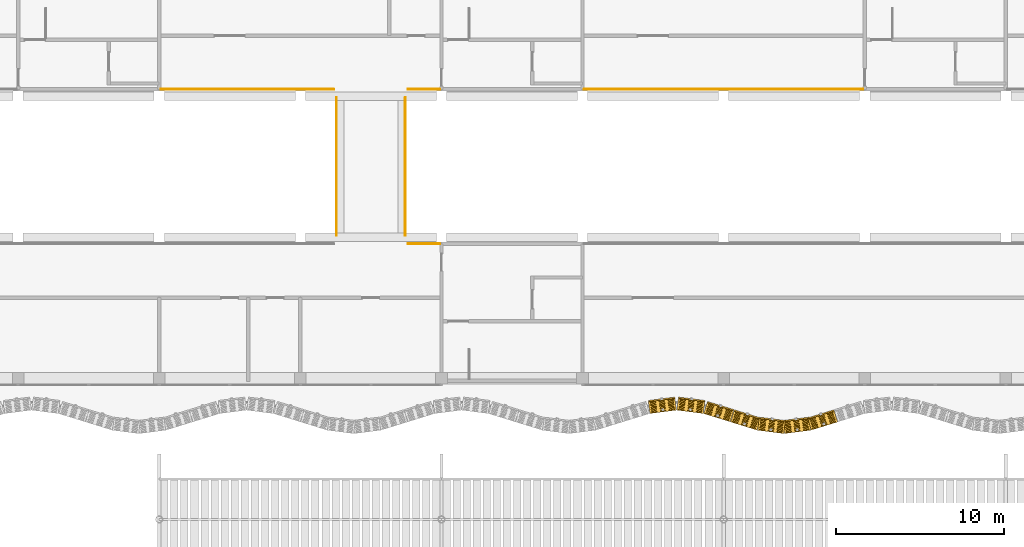
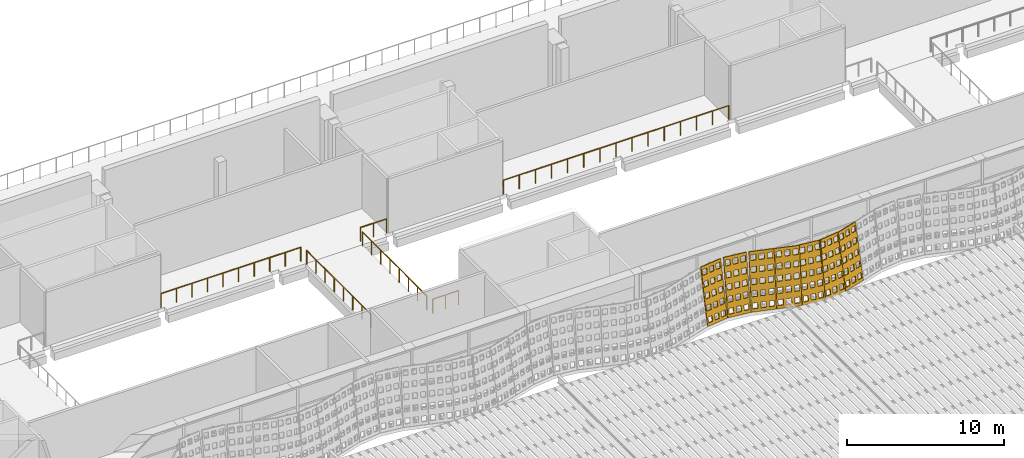
# One storey, part 138 of 162: 7 coverings, 6 railings.
"""IFC4 building model written with IfcOpenShell, lengths in metres."""

from ifc_helpers import new_model, si_unit, direction, frame, origin, origin_2d, place, context, subcontext, project, spatial, polyline, circle, outline, extrude, material, layer, layer_set, type_object, element, save


model = new_model("IFC4")

# Units and contexts
model_context = context("Model", 3, precision=1e-05, world=origin(), true_north=direction((0.0, 1.0)))
body_context = subcontext(model_context, "Body", "Model", "MODEL_VIEW")
ifc_project = project(units=[si_unit("LENGTHUNIT", "METRE"), si_unit("AREAUNIT", "SQUARE_METRE"), si_unit("VOLUMEUNIT", "CUBIC_METRE"), si_unit("PLANEANGLEUNIT", "RADIAN"), si_unit("MASSUNIT", "GRAM", prefix="KILO")], contexts=[model_context])

# Site, building, storey
site_placement = place(None, origin())
site = spatial("IfcSite", under=ifc_project, at=site_placement, CompositionType="ELEMENT")
building_placement = place(site_placement, origin())
building = spatial("IfcBuilding", under=site, at=building_placement, Name="Rain Tree Exposition and Congress Centre", CompositionType="ELEMENT")
storey_placement = place(building_placement, frame((0.0, 0.0, 6.0)))
storey = spatial("IfcBuildingStorey", under=building, at=storey_placement, Name="L01", CompositionType="ELEMENT", Elevation=6.0)

# Railings
ifc_material_1 = material(Name="Aluminium and glass balustrade", Category="aluminium")
railing_type = type_object("IfcRailingType", Name="Concourse guard 1100", PredefinedType="GUARDRAIL", material=ifc_material_1)
railing_1_placement = place(storey_placement, frame((73.60009765625, 83.60009765625, 0.0)))
element("IfcRailing", 1, at=railing_1_placement, inside=storey, type_object=railing_type, Name="Concourse promenade guard 5", PredefinedType="GUARDRAIL", context=body_context, shape_type="SweptSolid", body=[
    extrude(circle(Radius=0.02392578125, at=origin_2d()), frame((0.0, 0.0, 1.076171875), z_axis=(1.0, 0.0, 0.0), x_axis=(0.0, 1.0, 0.0)), (0.0, 0.0, 1.0), 1.89990234375),
    extrude(circle(Radius=0.02099609375, at=origin_2d()), origin(), (0.0, 0.0, 1.0), 1.052001953125),
    extrude(circle(Radius=0.02099609375, at=origin_2d()), frame((0.949951171875, 0.0, 0.0)), (0.0, 0.0, 1.0), 1.052001953125),
    extrude(circle(Radius=0.02099609375, at=origin_2d()), frame((1.89990234375, 0.0, 0.0)), (0.0, 0.0, 1.0), 1.052001953125),
])
railing_2_placement = place(storey_placement, frame((58.89990234375, 92.800048828125, 0.0)))
element("IfcRailing", 2, at=railing_2_placement, inside=storey, type_object=railing_type, Name="Concourse promenade guard 18", PredefinedType="GUARDRAIL", context=body_context, shape_type="SweptSolid", body=[
    extrude(circle(Radius=0.02392578125, at=origin_2d()), frame((0.0, 0.0, 1.076171875), z_axis=(1.0, 0.0, 0.0), x_axis=(0.0, 1.0, 0.0)), (0.0, 0.0, 1.0), 10.300048828125),
    extrude(circle(Radius=0.02099609375, at=origin_2d()), origin(), (0.0, 0.0, 1.0), 1.052001953125),
    extrude(circle(Radius=0.02099609375, at=origin_2d()), frame((1.14453125, 0.0, 0.0)), (0.0, 0.0, 1.0), 1.052001953125),
    extrude(circle(Radius=0.02099609375, at=origin_2d()), frame((2.288818359375, 0.0, 0.0)), (0.0, 0.0, 1.0), 1.052001953125),
    extrude(circle(Radius=0.02099609375, at=origin_2d()), frame((3.433349609375, 0.0, 0.0)), (0.0, 0.0, 1.0), 1.052001953125),
    extrude(circle(Radius=0.02099609375, at=origin_2d()), frame((4.577880859375, 0.0, 0.0)), (0.0, 0.0, 1.0), 1.052001953125),
    extrude(circle(Radius=0.02099609375, at=origin_2d()), frame((5.72216796875, 0.0, 0.0)), (0.0, 0.0, 1.0), 1.052001953125),
    extrude(circle(Radius=0.02099609375, at=origin_2d()), frame((6.86669921875, 0.0, 0.0)), (0.0, 0.0, 1.0), 1.052001953125),
    extrude(circle(Radius=0.02099609375, at=origin_2d()), frame((8.01123046875, 0.0, 0.0)), (0.0, 0.0, 1.0), 1.052001953125),
    extrude(circle(Radius=0.02099609375, at=origin_2d()), frame((9.155517578125, 0.0, 0.0)), (0.0, 0.0, 1.0), 1.052001953125),
    extrude(circle(Radius=0.02099609375, at=origin_2d()), frame((10.300048828125, 0.0, 0.0)), (0.0, 0.0, 1.0), 1.052001953125),
])
railing_3_placement = place(storey_placement, frame((73.60009765625, 92.800048828125, 0.0)))
element("IfcRailing", 3, at=railing_3_placement, inside=storey, type_object=railing_type, Name="Concourse promenade guard 19", PredefinedType="GUARDRAIL", context=body_context, shape_type="SweptSolid", body=[
    extrude(circle(Radius=0.02392578125, at=origin_2d()), frame((0.0, 0.0, 1.076171875), z_axis=(1.0, 0.0, 0.0), x_axis=(0.0, 1.0, 0.0)), (0.0, 0.0, 1.0), 1.89990234375),
    extrude(circle(Radius=0.02099609375, at=origin_2d()), origin(), (0.0, 0.0, 1.0), 1.052001953125),
    extrude(circle(Radius=0.02099609375, at=origin_2d()), frame((0.949951171875, 0.0, 0.0)), (0.0, 0.0, 1.0), 1.052001953125),
    extrude(circle(Radius=0.02099609375, at=origin_2d()), frame((1.89990234375, 0.0, 0.0)), (0.0, 0.0, 1.0), 1.052001953125),
])
railing_4_placement = place(storey_placement, frame((84.10009765625, 92.800048828125, 0.0)))
element("IfcRailing", 4, at=railing_4_placement, inside=storey, type_object=railing_type, Name="Concourse promenade guard 20", PredefinedType="GUARDRAIL", context=body_context, shape_type="SweptSolid", body=[
    extrude(circle(Radius=0.02392578125, at=origin_2d()), frame((0.0, 0.0, 1.076171875), z_axis=(1.0, 0.0, 0.0), x_axis=(0.0, 1.0, 0.0)), (0.0, 0.0, 1.0), 16.599853515625),
    extrude(circle(Radius=0.02099609375, at=origin_2d()), origin(), (0.0, 0.0, 1.0), 1.052001953125),
    extrude(circle(Radius=0.02099609375, at=origin_2d()), frame((1.185791015625, 0.0, 0.0)), (0.0, 0.0, 1.0), 1.052001953125),
    extrude(circle(Radius=0.02099609375, at=origin_2d()), frame((2.371337890625, 0.0, 0.0)), (0.0, 0.0, 1.0), 1.052001953125),
    extrude(circle(Radius=0.02099609375, at=origin_2d()), frame((3.55712890625, 0.0, 0.0)), (0.0, 0.0, 1.0), 1.052001953125),
    extrude(circle(Radius=0.02099609375, at=origin_2d()), frame((4.742919921875, 0.0, 0.0)), (0.0, 0.0, 1.0), 1.052001953125),
    extrude(circle(Radius=0.02099609375, at=origin_2d()), frame((5.928466796875, 0.0, 0.0)), (0.0, 0.0, 1.0), 1.052001953125),
    extrude(circle(Radius=0.02099609375, at=origin_2d()), frame((7.1142578125, 0.0, 0.0)), (0.0, 0.0, 1.0), 1.052001953125),
    extrude(circle(Radius=0.02099609375, at=origin_2d()), frame((8.2998046875, 0.0, 0.0)), (0.0, 0.0, 1.0), 1.052001953125),
    extrude(circle(Radius=0.02099609375, at=origin_2d()), frame((9.485595703125, 0.0, 0.0)), (0.0, 0.0, 1.0), 1.052001953125),
    extrude(circle(Radius=0.02099609375, at=origin_2d()), frame((10.67138671875, 0.0, 0.0)), (0.0, 0.0, 1.0), 1.052001953125),
    extrude(circle(Radius=0.02099609375, at=origin_2d()), frame((11.85693359375, 0.0, 0.0)), (0.0, 0.0, 1.0), 1.052001953125),
    extrude(circle(Radius=0.02099609375, at=origin_2d()), frame((13.042724609375, 0.0, 0.0)), (0.0, 0.0, 1.0), 1.052001953125),
    extrude(circle(Radius=0.02099609375, at=origin_2d()), frame((14.228515625, 0.0, 0.0)), (0.0, 0.0, 1.0), 1.052001953125),
    extrude(circle(Radius=0.02099609375, at=origin_2d()), frame((15.4140625, 0.0, 0.0)), (0.0, 0.0, 1.0), 1.052001953125),
    extrude(circle(Radius=0.02099609375, at=origin_2d()), frame((16.599853515625, 0.0, 0.0)), (0.0, 0.0, 1.0), 1.052001953125),
])
for number, where, name in (
    (5, (69.35009765625, 84.10009765625, 0.0), "Concourse bridge guard 3.1"),
    (6, (73.449951171875, 84.10009765625, 0.0), "Concourse bridge guard 3.2"),
):
    element("IfcRailing", number, at=place(storey_placement, frame(where)), inside=storey, type_object=railing_type, Name=name, PredefinedType="GUARDRAIL", context=body_context, shape_type="SweptSolid", body=[
        extrude(circle(Radius=0.02392578125, at=origin_2d()), frame((0.0, 0.0, 1.076171875), z_axis=(0.0, 1.0, 0.0), x_axis=(-1.0, 0.0, 0.0)), (0.0, 0.0, 1.0), 8.199951171875),
        extrude(circle(Radius=0.02099609375, at=origin_2d()), origin(), (0.0, 0.0, 1.0), 1.052001953125),
        extrude(circle(Radius=0.02099609375, at=origin_2d()), frame((0.0, 1.17138671875, 0.0)), (0.0, 0.0, 1.0), 1.052001953125),
        extrude(circle(Radius=0.02099609375, at=origin_2d()), frame((0.0, 2.3427734375, 0.0)), (0.0, 0.0, 1.0), 1.052001953125),
        extrude(circle(Radius=0.02099609375, at=origin_2d()), frame((0.0, 3.51416015625, 0.0)), (0.0, 0.0, 1.0), 1.052001953125),
        extrude(circle(Radius=0.02099609375, at=origin_2d()), frame((0.0, 4.685791015625, 0.0)), (0.0, 0.0, 1.0), 1.052001953125),
        extrude(circle(Radius=0.02099609375, at=origin_2d()), frame((0.0, 5.857177734375, 0.0)), (0.0, 0.0, 1.0), 1.052001953125),
        extrude(circle(Radius=0.02099609375, at=origin_2d()), frame((0.0, 7.028564453125, 0.0)), (0.0, 0.0, 1.0), 1.052001953125),
        extrude(circle(Radius=0.02099609375, at=origin_2d()), frame((0.0, 8.199951171875, 0.0)), (0.0, 0.0, 1.0), 1.052001953125),
    ])

# Coverings
ifc_material_2 = material(Name="Perforated terracotta", Category="masonry")
ifc_layer = layer(ifc_material_2, 0.080078125)
ifc_layer_set = layer_set([ifc_layer], Name="Perforated terracotta")
covering_type = type_object("IfcCoveringType", Name="Terracotta screen 80", PredefinedType="CLADDING", material=ifc_layer_set)
covering_1_placement = place(storey_placement, frame((87.999755859375, 73.496826171875, 0.01318359375), z_axis=(-0.124968640969, 0.978413018317, -0.164592844203), x_axis=(-0.991941518713, -0.126696580272, 0.0)))
element("IfcCovering", 7, at=covering_1_placement, inside=storey, type_object=covering_type, Name="concourse/screen/L01/056", PredefinedType="CLADDING", context=body_context, shape_type="SweptSolid", body=[
    extrude(outline(polyline([(-1.59814453125, 0.0), (-1.59814453125, 4.295166015625), (-0.014892578125, 4.295166015625), (-0.014892578125, 0.0), (-1.59814453125, 0.0)]), holes=[polyline([(-0.115234375, 0.2216796875), (-0.115234375, 0.63720703125), (-0.4423828125, 0.63720703125), (-0.4423828125, 0.2216796875), (-0.115234375, 0.2216796875)]), polyline([(-0.115234375, 1.080810546875), (-0.115234375, 1.496337890625), (-0.4423828125, 1.496337890625), (-0.4423828125, 1.080810546875), (-0.115234375, 1.080810546875)]), polyline([(-0.115234375, 1.939697265625), (-0.115234375, 2.35546875), (-0.4423828125, 2.35546875), (-0.4423828125, 1.939697265625), (-0.115234375, 1.939697265625)]), polyline([(-0.115234375, 2.798583984375), (-0.115234375, 3.21435546875), (-0.4423828125, 3.21435546875), (-0.4423828125, 2.798583984375), (-0.115234375, 2.798583984375)]), polyline([(-0.115234375, 3.65771484375), (-0.115234375, 4.073486328125), (-0.4423828125, 4.073486328125), (-0.4423828125, 3.65771484375), (-0.115234375, 3.65771484375)]), polyline([(-0.64306640625, 0.2216796875), (-0.64306640625, 0.63720703125), (-0.97021484375, 0.63720703125), (-0.97021484375, 0.2216796875), (-0.64306640625, 0.2216796875)]), polyline([(-0.64306640625, 1.080810546875), (-0.64306640625, 1.496337890625), (-0.97021484375, 1.496337890625), (-0.97021484375, 1.080810546875), (-0.64306640625, 1.080810546875)]), polyline([(-0.64306640625, 1.939697265625), (-0.64306640625, 2.35546875), (-0.97021484375, 2.35546875), (-0.97021484375, 1.939697265625), (-0.64306640625, 1.939697265625)]), polyline([(-0.64306640625, 2.798583984375), (-0.64306640625, 3.21435546875), (-0.97021484375, 3.21435546875), (-0.97021484375, 2.798583984375), (-0.64306640625, 2.798583984375)]), polyline([(-0.64306640625, 3.65771484375), (-0.64306640625, 4.073486328125), (-0.97021484375, 4.073486328125), (-0.97021484375, 3.65771484375), (-0.64306640625, 3.65771484375)]), polyline([(-1.170654296875, 0.2216796875), (-1.170654296875, 0.63720703125), (-1.497802734375, 0.63720703125), (-1.497802734375, 0.2216796875), (-1.170654296875, 0.2216796875)]), polyline([(-1.170654296875, 1.080810546875), (-1.170654296875, 1.496337890625), (-1.497802734375, 1.496337890625), (-1.497802734375, 1.080810546875), (-1.170654296875, 1.080810546875)]), polyline([(-1.170654296875, 1.939697265625), (-1.170654296875, 2.35546875), (-1.497802734375, 2.35546875), (-1.497802734375, 1.939697265625), (-1.170654296875, 1.939697265625)]), polyline([(-1.170654296875, 2.798583984375), (-1.170654296875, 3.21435546875), (-1.497802734375, 3.21435546875), (-1.497802734375, 2.798583984375), (-1.170654296875, 2.798583984375)]), polyline([(-1.170654296875, 3.65771484375), (-1.170654296875, 4.073486328125), (-1.497802734375, 4.073486328125), (-1.497802734375, 3.65771484375), (-1.170654296875, 3.65771484375)])]), origin(), (0.0, 0.0, 1.0), 0.080078125),
])
covering_2_placement = place(storey_placement, frame((89.600341796875, 73.701904296875, 0.01318359375), z_axis=(0.125342414455, 0.978282259159, -0.165085131233), x_axis=(-0.991891686382, 0.127086122318, 0.0)))
element("IfcCovering", 8, at=covering_2_placement, inside=storey, type_object=covering_type, Name="concourse/screen/L01/057", PredefinedType="CLADDING", context=body_context, shape_type="SweptSolid", body=[
    extrude(outline(polyline([(-1.59814453125, 0.0), (-1.59814453125, 4.295166015625), (-0.014892578125, 4.295166015625), (-0.014892578125, 0.0), (-1.59814453125, 0.0)]), holes=[polyline([(-0.115234375, 0.2216796875), (-0.115234375, 0.63720703125), (-0.4423828125, 0.63720703125), (-0.4423828125, 0.2216796875), (-0.115234375, 0.2216796875)]), polyline([(-0.115234375, 1.080810546875), (-0.115234375, 1.496337890625), (-0.4423828125, 1.496337890625), (-0.4423828125, 1.080810546875), (-0.115234375, 1.080810546875)]), polyline([(-0.115234375, 1.939697265625), (-0.115234375, 2.35546875), (-0.4423828125, 2.35546875), (-0.4423828125, 1.939697265625), (-0.115234375, 1.939697265625)]), polyline([(-0.115234375, 2.798583984375), (-0.115234375, 3.21435546875), (-0.4423828125, 3.21435546875), (-0.4423828125, 2.798583984375), (-0.115234375, 2.798583984375)]), polyline([(-0.115234375, 3.65771484375), (-0.115234375, 4.073486328125), (-0.4423828125, 4.073486328125), (-0.4423828125, 3.65771484375), (-0.115234375, 3.65771484375)]), polyline([(-0.64306640625, 0.2216796875), (-0.64306640625, 0.63720703125), (-0.97021484375, 0.63720703125), (-0.97021484375, 0.2216796875), (-0.64306640625, 0.2216796875)]), polyline([(-0.64306640625, 1.080810546875), (-0.64306640625, 1.496337890625), (-0.97021484375, 1.496337890625), (-0.97021484375, 1.080810546875), (-0.64306640625, 1.080810546875)]), polyline([(-0.64306640625, 1.939697265625), (-0.64306640625, 2.35546875), (-0.97021484375, 2.35546875), (-0.97021484375, 1.939697265625), (-0.64306640625, 1.939697265625)]), polyline([(-0.64306640625, 2.798583984375), (-0.64306640625, 3.21435546875), (-0.97021484375, 3.21435546875), (-0.97021484375, 2.798583984375), (-0.64306640625, 2.798583984375)]), polyline([(-0.64306640625, 3.65771484375), (-0.64306640625, 4.073486328125), (-0.97021484375, 4.073486328125), (-0.97021484375, 3.65771484375), (-0.64306640625, 3.65771484375)]), polyline([(-1.170654296875, 0.2216796875), (-1.170654296875, 0.63720703125), (-1.497802734375, 0.63720703125), (-1.497802734375, 0.2216796875), (-1.170654296875, 0.2216796875)]), polyline([(-1.170654296875, 1.080810546875), (-1.170654296875, 1.496337890625), (-1.497802734375, 1.496337890625), (-1.497802734375, 1.080810546875), (-1.170654296875, 1.080810546875)]), polyline([(-1.170654296875, 1.939697265625), (-1.170654296875, 2.35546875), (-1.497802734375, 2.35546875), (-1.497802734375, 1.939697265625), (-1.170654296875, 1.939697265625)]), polyline([(-1.170654296875, 2.798583984375), (-1.170654296875, 3.21435546875), (-1.497802734375, 3.21435546875), (-1.497802734375, 2.798583984375), (-1.170654296875, 2.798583984375)]), polyline([(-1.170654296875, 3.65771484375), (-1.170654296875, 4.073486328125), (-1.497802734375, 4.073486328125), (-1.497802734375, 3.65771484375), (-1.170654296875, 3.65771484375)])]), origin(), (0.0, 0.0, 1.0), 0.079833984375),
])
covering_3_placement = place(storey_placement, frame((91.20068359375, 73.49658203125, 0.0126953125), z_axis=(0.290138898064, 0.943714942124, -0.158812870519), x_axis=(-0.955845867297, 0.293868470528, 0.0)))
element("IfcCovering", 9, at=covering_3_placement, inside=storey, type_object=covering_type, Name="concourse/screen/L01/058", PredefinedType="CLADDING", context=body_context, shape_type="SweptSolid", body=[
    extrude(outline(polyline([(-1.659912109375, 0.0), (-1.659912109375, 4.29150390625), (-0.014892578125, 4.29150390625), (-0.014892578125, 0.0), (-1.659912109375, 0.0)]), holes=[polyline([(-0.119140625, 0.221435546875), (-0.119140625, 0.63671875), (-0.458984375, 0.63671875), (-0.458984375, 0.221435546875), (-0.119140625, 0.221435546875)]), polyline([(-0.119140625, 1.079833984375), (-0.119140625, 1.4951171875), (-0.458984375, 1.4951171875), (-0.458984375, 1.079833984375), (-0.119140625, 1.079833984375)]), polyline([(-0.119140625, 1.93798828125), (-0.119140625, 2.353271484375), (-0.458984375, 2.353271484375), (-0.458984375, 1.93798828125), (-0.119140625, 1.93798828125)]), polyline([(-0.119140625, 2.79638671875), (-0.119140625, 3.211669921875), (-0.458984375, 3.211669921875), (-0.458984375, 2.79638671875), (-0.119140625, 2.79638671875)]), polyline([(-0.119140625, 3.654541015625), (-0.119140625, 4.06982421875), (-0.458984375, 4.06982421875), (-0.458984375, 3.654541015625), (-0.119140625, 3.654541015625)]), polyline([(-0.66748046875, 0.221435546875), (-0.66748046875, 0.63671875), (-1.00732421875, 0.63671875), (-1.00732421875, 0.221435546875), (-0.66748046875, 0.221435546875)]), polyline([(-0.66748046875, 1.079833984375), (-0.66748046875, 1.4951171875), (-1.00732421875, 1.4951171875), (-1.00732421875, 1.079833984375), (-0.66748046875, 1.079833984375)]), polyline([(-0.66748046875, 1.93798828125), (-0.66748046875, 2.353271484375), (-1.00732421875, 2.353271484375), (-1.00732421875, 1.93798828125), (-0.66748046875, 1.93798828125)]), polyline([(-0.66748046875, 2.79638671875), (-0.66748046875, 3.211669921875), (-1.00732421875, 3.211669921875), (-1.00732421875, 2.79638671875), (-0.66748046875, 2.79638671875)]), polyline([(-0.66748046875, 3.654541015625), (-0.66748046875, 4.06982421875), (-1.00732421875, 4.06982421875), (-1.00732421875, 3.654541015625), (-0.66748046875, 3.654541015625)]), polyline([(-1.2158203125, 0.221435546875), (-1.2158203125, 0.63671875), (-1.5556640625, 0.63671875), (-1.5556640625, 0.221435546875), (-1.2158203125, 0.221435546875)]), polyline([(-1.2158203125, 1.079833984375), (-1.2158203125, 1.4951171875), (-1.5556640625, 1.4951171875), (-1.5556640625, 1.079833984375), (-1.2158203125, 1.079833984375)]), polyline([(-1.2158203125, 1.93798828125), (-1.2158203125, 2.353271484375), (-1.5556640625, 2.353271484375), (-1.5556640625, 1.93798828125), (-1.2158203125, 1.93798828125)]), polyline([(-1.2158203125, 2.79638671875), (-1.2158203125, 3.211669921875), (-1.5556640625, 3.211669921875), (-1.5556640625, 2.79638671875), (-1.2158203125, 2.79638671875)]), polyline([(-1.2158203125, 3.654541015625), (-1.2158203125, 4.06982421875), (-1.5556640625, 4.06982421875), (-1.5556640625, 3.654541015625), (-1.2158203125, 3.654541015625)])]), origin(), (0.0, 0.0, 1.0), 0.079833984375),
])
covering_4_placement = place(storey_placement, frame((92.800537109375, 73.001708984375, 0.0126953125), z_axis=(0.292932171154, 0.942875425902, -0.158671592708), x_axis=(-0.954973588716, 0.296690823679, 0.0)))
element("IfcCovering", 10, at=covering_4_placement, inside=storey, type_object=covering_type, Name="concourse/screen/L01/059", PredefinedType="CLADDING", context=body_context, shape_type="SweptSolid", body=[
    extrude(outline(polyline([(-1.65283203125, 0.0), (-1.65283203125, 4.29150390625), (-0.014892578125, 4.29150390625), (-0.014892578125, 0.0), (-1.65283203125, 0.0)]), holes=[polyline([(-0.11865234375, 0.221435546875), (-0.11865234375, 0.63671875), (-0.457275390625, 0.63671875), (-0.457275390625, 0.221435546875), (-0.11865234375, 0.221435546875)]), polyline([(-0.11865234375, 1.079833984375), (-0.11865234375, 1.4951171875), (-0.457275390625, 1.4951171875), (-0.457275390625, 1.079833984375), (-0.11865234375, 1.079833984375)]), polyline([(-0.11865234375, 1.93798828125), (-0.11865234375, 2.353271484375), (-0.457275390625, 2.353271484375), (-0.457275390625, 1.93798828125), (-0.11865234375, 1.93798828125)]), polyline([(-0.11865234375, 2.79638671875), (-0.11865234375, 3.211669921875), (-0.457275390625, 3.211669921875), (-0.457275390625, 2.79638671875), (-0.11865234375, 2.79638671875)]), polyline([(-0.11865234375, 3.654541015625), (-0.11865234375, 4.06982421875), (-0.457275390625, 4.06982421875), (-0.457275390625, 3.654541015625), (-0.11865234375, 3.654541015625)]), polyline([(-0.664794921875, 0.221435546875), (-0.664794921875, 0.63671875), (-1.003173828125, 0.63671875), (-1.003173828125, 0.221435546875), (-0.664794921875, 0.221435546875)]), polyline([(-0.664794921875, 1.079833984375), (-0.664794921875, 1.4951171875), (-1.003173828125, 1.4951171875), (-1.003173828125, 1.079833984375), (-0.664794921875, 1.079833984375)]), polyline([(-0.664794921875, 1.93798828125), (-0.664794921875, 2.353271484375), (-1.003173828125, 2.353271484375), (-1.003173828125, 1.93798828125), (-0.664794921875, 1.93798828125)]), polyline([(-0.664794921875, 2.79638671875), (-0.664794921875, 3.211669921875), (-1.003173828125, 3.211669921875), (-1.003173828125, 2.79638671875), (-0.664794921875, 2.79638671875)]), polyline([(-0.664794921875, 3.654541015625), (-0.664794921875, 4.06982421875), (-1.003173828125, 4.06982421875), (-1.003173828125, 3.654541015625), (-0.664794921875, 3.654541015625)]), polyline([(-1.210693359375, 0.221435546875), (-1.210693359375, 0.63671875), (-1.54931640625, 0.63671875), (-1.54931640625, 0.221435546875), (-1.210693359375, 0.221435546875)]), polyline([(-1.210693359375, 1.079833984375), (-1.210693359375, 1.4951171875), (-1.54931640625, 1.4951171875), (-1.54931640625, 1.079833984375), (-1.210693359375, 1.079833984375)]), polyline([(-1.210693359375, 1.93798828125), (-1.210693359375, 2.353271484375), (-1.54931640625, 2.353271484375), (-1.54931640625, 1.93798828125), (-1.210693359375, 1.93798828125)]), polyline([(-1.210693359375, 2.79638671875), (-1.210693359375, 3.211669921875), (-1.54931640625, 3.211669921875), (-1.54931640625, 2.79638671875), (-1.210693359375, 2.79638671875)]), polyline([(-1.210693359375, 3.654541015625), (-1.210693359375, 4.06982421875), (-1.54931640625, 4.06982421875), (-1.54931640625, 3.654541015625), (-1.210693359375, 3.654541015625)])]), origin(), (0.0, 0.0, 1.0), 0.080078125),
])
covering_5_placement = place(storey_placement, frame((94.400390625, 72.5068359375, 0.01318359375), z_axis=(0.124968640969, 0.978413018317, -0.164592844203), x_axis=(-0.991941518713, 0.126696580272, 0.0)))
element("IfcCovering", 11, at=covering_5_placement, inside=storey, type_object=covering_type, Name="concourse/screen/L01/060", PredefinedType="CLADDING", context=body_context, shape_type="SweptSolid", body=[
    extrude(outline(polyline([(-1.587890625, 0.0), (-1.587890625, 4.295166015625), (-0.02197265625, 4.295166015625), (-0.02197265625, 0.0), (-1.587890625, 0.0)]), holes=[polyline([(-0.12109375, 0.2216796875), (-0.12109375, 0.63720703125), (-0.444580078125, 0.63720703125), (-0.444580078125, 0.2216796875), (-0.12109375, 0.2216796875)]), polyline([(-0.12109375, 1.080810546875), (-0.12109375, 1.496337890625), (-0.444580078125, 1.496337890625), (-0.444580078125, 1.080810546875), (-0.12109375, 1.080810546875)]), polyline([(-0.12109375, 1.939697265625), (-0.12109375, 2.35546875), (-0.444580078125, 2.35546875), (-0.444580078125, 1.939697265625), (-0.12109375, 1.939697265625)]), polyline([(-0.12109375, 2.798583984375), (-0.12109375, 3.21435546875), (-0.444580078125, 3.21435546875), (-0.444580078125, 2.798583984375), (-0.12109375, 2.798583984375)]), polyline([(-0.12109375, 3.65771484375), (-0.12109375, 4.073486328125), (-0.444580078125, 4.073486328125), (-0.444580078125, 3.65771484375), (-0.12109375, 3.65771484375)]), polyline([(-0.64306640625, 0.2216796875), (-0.64306640625, 0.63720703125), (-0.966796875, 0.63720703125), (-0.966796875, 0.2216796875), (-0.64306640625, 0.2216796875)]), polyline([(-0.64306640625, 1.080810546875), (-0.64306640625, 1.496337890625), (-0.966796875, 1.496337890625), (-0.966796875, 1.080810546875), (-0.64306640625, 1.080810546875)]), polyline([(-0.64306640625, 1.939697265625), (-0.64306640625, 2.35546875), (-0.966796875, 2.35546875), (-0.966796875, 1.939697265625), (-0.64306640625, 1.939697265625)]), polyline([(-0.64306640625, 2.798583984375), (-0.64306640625, 3.21435546875), (-0.966796875, 3.21435546875), (-0.966796875, 2.798583984375), (-0.64306640625, 2.798583984375)]), polyline([(-0.64306640625, 3.65771484375), (-0.64306640625, 4.073486328125), (-0.966796875, 4.073486328125), (-0.966796875, 3.65771484375), (-0.64306640625, 3.65771484375)]), polyline([(-1.1650390625, 0.2216796875), (-1.1650390625, 0.63720703125), (-1.48876953125, 0.63720703125), (-1.48876953125, 0.2216796875), (-1.1650390625, 0.2216796875)]), polyline([(-1.1650390625, 1.080810546875), (-1.1650390625, 1.496337890625), (-1.48876953125, 1.496337890625), (-1.48876953125, 1.080810546875), (-1.1650390625, 1.080810546875)]), polyline([(-1.1650390625, 1.939697265625), (-1.1650390625, 2.35546875), (-1.48876953125, 2.35546875), (-1.48876953125, 1.939697265625), (-1.1650390625, 1.939697265625)]), polyline([(-1.1650390625, 2.798583984375), (-1.1650390625, 3.21435546875), (-1.48876953125, 3.21435546875), (-1.48876953125, 2.798583984375), (-1.1650390625, 2.798583984375)]), polyline([(-1.1650390625, 3.65771484375), (-1.1650390625, 4.073486328125), (-1.48876953125, 4.073486328125), (-1.48876953125, 3.65771484375), (-1.1650390625, 3.65771484375)])]), origin(), (0.0, 0.0, 1.0), 0.080078125),
])
covering_6_placement = place(storey_placement, frame((95.999755859375, 72.302001953125, 0.01318359375), z_axis=(-0.125342414455, 0.978282259159, -0.165085131233), x_axis=(-0.991891686382, -0.127086122318, 0.0)))
element("IfcCovering", 12, at=covering_6_placement, inside=storey, type_object=covering_type, Name="concourse/screen/L01/061", PredefinedType="CLADDING", context=body_context, shape_type="SweptSolid", body=[
    extrude(outline(polyline([(-1.59130859375, 0.0), (-1.59130859375, 4.295166015625), (-0.025146484375, 4.295166015625), (-0.025146484375, 0.0), (-1.59130859375, 0.0)]), holes=[polyline([(-0.12451171875, 0.2216796875), (-0.12451171875, 0.63720703125), (-0.447998046875, 0.63720703125), (-0.447998046875, 0.2216796875), (-0.12451171875, 0.2216796875)]), polyline([(-0.12451171875, 1.080810546875), (-0.12451171875, 1.496337890625), (-0.447998046875, 1.496337890625), (-0.447998046875, 1.080810546875), (-0.12451171875, 1.080810546875)]), polyline([(-0.12451171875, 1.939697265625), (-0.12451171875, 2.35546875), (-0.447998046875, 2.35546875), (-0.447998046875, 1.939697265625), (-0.12451171875, 1.939697265625)]), polyline([(-0.12451171875, 2.798583984375), (-0.12451171875, 3.21435546875), (-0.447998046875, 3.21435546875), (-0.447998046875, 2.798583984375), (-0.12451171875, 2.798583984375)]), polyline([(-0.12451171875, 3.65771484375), (-0.12451171875, 4.073486328125), (-0.447998046875, 4.073486328125), (-0.447998046875, 3.65771484375), (-0.12451171875, 3.65771484375)]), polyline([(-0.646484375, 0.2216796875), (-0.646484375, 0.63720703125), (-0.969970703125, 0.63720703125), (-0.969970703125, 0.2216796875), (-0.646484375, 0.2216796875)]), polyline([(-0.646484375, 1.080810546875), (-0.646484375, 1.496337890625), (-0.969970703125, 1.496337890625), (-0.969970703125, 1.080810546875), (-0.646484375, 1.080810546875)]), polyline([(-0.646484375, 1.939697265625), (-0.646484375, 2.35546875), (-0.969970703125, 2.35546875), (-0.969970703125, 1.939697265625), (-0.646484375, 1.939697265625)]), polyline([(-0.646484375, 2.798583984375), (-0.646484375, 3.21435546875), (-0.969970703125, 3.21435546875), (-0.969970703125, 2.798583984375), (-0.646484375, 2.798583984375)]), polyline([(-0.646484375, 3.65771484375), (-0.646484375, 4.073486328125), (-0.969970703125, 4.073486328125), (-0.969970703125, 3.65771484375), (-0.646484375, 3.65771484375)]), polyline([(-1.16845703125, 0.2216796875), (-1.16845703125, 0.63720703125), (-1.491943359375, 0.63720703125), (-1.491943359375, 0.2216796875), (-1.16845703125, 0.2216796875)]), polyline([(-1.16845703125, 1.080810546875), (-1.16845703125, 1.496337890625), (-1.491943359375, 1.496337890625), (-1.491943359375, 1.080810546875), (-1.16845703125, 1.080810546875)]), polyline([(-1.16845703125, 1.939697265625), (-1.16845703125, 2.35546875), (-1.491943359375, 2.35546875), (-1.491943359375, 1.939697265625), (-1.16845703125, 1.939697265625)]), polyline([(-1.16845703125, 2.798583984375), (-1.16845703125, 3.21435546875), (-1.491943359375, 3.21435546875), (-1.491943359375, 2.798583984375), (-1.16845703125, 2.798583984375)]), polyline([(-1.16845703125, 3.65771484375), (-1.16845703125, 4.073486328125), (-1.491943359375, 4.073486328125), (-1.491943359375, 3.65771484375), (-1.16845703125, 3.65771484375)])]), origin(), (0.0, 0.0, 1.0), 0.079833984375),
])
covering_7_placement = place(storey_placement, frame((97.599365234375, 72.506591796875, 0.0126953125), z_axis=(-0.290138898064, 0.943714942124, -0.158812870519), x_axis=(-0.955845867297, -0.293868470528, 0.0)))
element("IfcCovering", 13, at=covering_7_placement, inside=storey, type_object=covering_type, Name="concourse/screen/L01/062", PredefinedType="CLADDING", context=body_context, shape_type="SweptSolid", body=[
    extrude(outline(polyline([(-1.659912109375, 0.0), (-1.659912109375, 4.29150390625), (-0.02197265625, 4.29150390625), (-0.02197265625, 0.0), (-1.659912109375, 0.0)]), holes=[polyline([(-0.125732421875, 0.221435546875), (-0.125732421875, 0.63671875), (-0.464111328125, 0.63671875), (-0.464111328125, 0.221435546875), (-0.125732421875, 0.221435546875)]), polyline([(-0.125732421875, 1.079833984375), (-0.125732421875, 1.4951171875), (-0.464111328125, 1.4951171875), (-0.464111328125, 1.079833984375), (-0.125732421875, 1.079833984375)]), polyline([(-0.125732421875, 1.93798828125), (-0.125732421875, 2.353271484375), (-0.464111328125, 2.353271484375), (-0.464111328125, 1.93798828125), (-0.125732421875, 1.93798828125)]), polyline([(-0.125732421875, 2.79638671875), (-0.125732421875, 3.211669921875), (-0.464111328125, 3.211669921875), (-0.464111328125, 2.79638671875), (-0.125732421875, 2.79638671875)]), polyline([(-0.125732421875, 3.654541015625), (-0.125732421875, 4.06982421875), (-0.464111328125, 4.06982421875), (-0.464111328125, 3.654541015625), (-0.125732421875, 3.654541015625)]), polyline([(-0.671630859375, 0.221435546875), (-0.671630859375, 0.63671875), (-1.010009765625, 0.63671875), (-1.010009765625, 0.221435546875), (-0.671630859375, 0.221435546875)]), polyline([(-0.671630859375, 1.079833984375), (-0.671630859375, 1.4951171875), (-1.010009765625, 1.4951171875), (-1.010009765625, 1.079833984375), (-0.671630859375, 1.079833984375)]), polyline([(-0.671630859375, 1.93798828125), (-0.671630859375, 2.353271484375), (-1.010009765625, 2.353271484375), (-1.010009765625, 1.93798828125), (-0.671630859375, 1.93798828125)]), polyline([(-0.671630859375, 2.79638671875), (-0.671630859375, 3.211669921875), (-1.010009765625, 3.211669921875), (-1.010009765625, 2.79638671875), (-0.671630859375, 2.79638671875)]), polyline([(-0.671630859375, 3.654541015625), (-0.671630859375, 4.06982421875), (-1.010009765625, 4.06982421875), (-1.010009765625, 3.654541015625), (-0.671630859375, 3.654541015625)]), polyline([(-1.217529296875, 0.221435546875), (-1.217529296875, 0.63671875), (-1.55615234375, 0.63671875), (-1.55615234375, 0.221435546875), (-1.217529296875, 0.221435546875)]), polyline([(-1.217529296875, 1.079833984375), (-1.217529296875, 1.4951171875), (-1.55615234375, 1.4951171875), (-1.55615234375, 1.079833984375), (-1.217529296875, 1.079833984375)]), polyline([(-1.217529296875, 1.93798828125), (-1.217529296875, 2.353271484375), (-1.55615234375, 2.353271484375), (-1.55615234375, 1.93798828125), (-1.217529296875, 1.93798828125)]), polyline([(-1.217529296875, 2.79638671875), (-1.217529296875, 3.211669921875), (-1.55615234375, 3.211669921875), (-1.55615234375, 2.79638671875), (-1.217529296875, 2.79638671875)]), polyline([(-1.217529296875, 3.654541015625), (-1.217529296875, 4.06982421875), (-1.55615234375, 4.06982421875), (-1.55615234375, 3.654541015625), (-1.217529296875, 3.654541015625)])]), origin(), (0.0, 0.0, 1.0), 0.079833984375),
])

save(model, "model.ifc")
